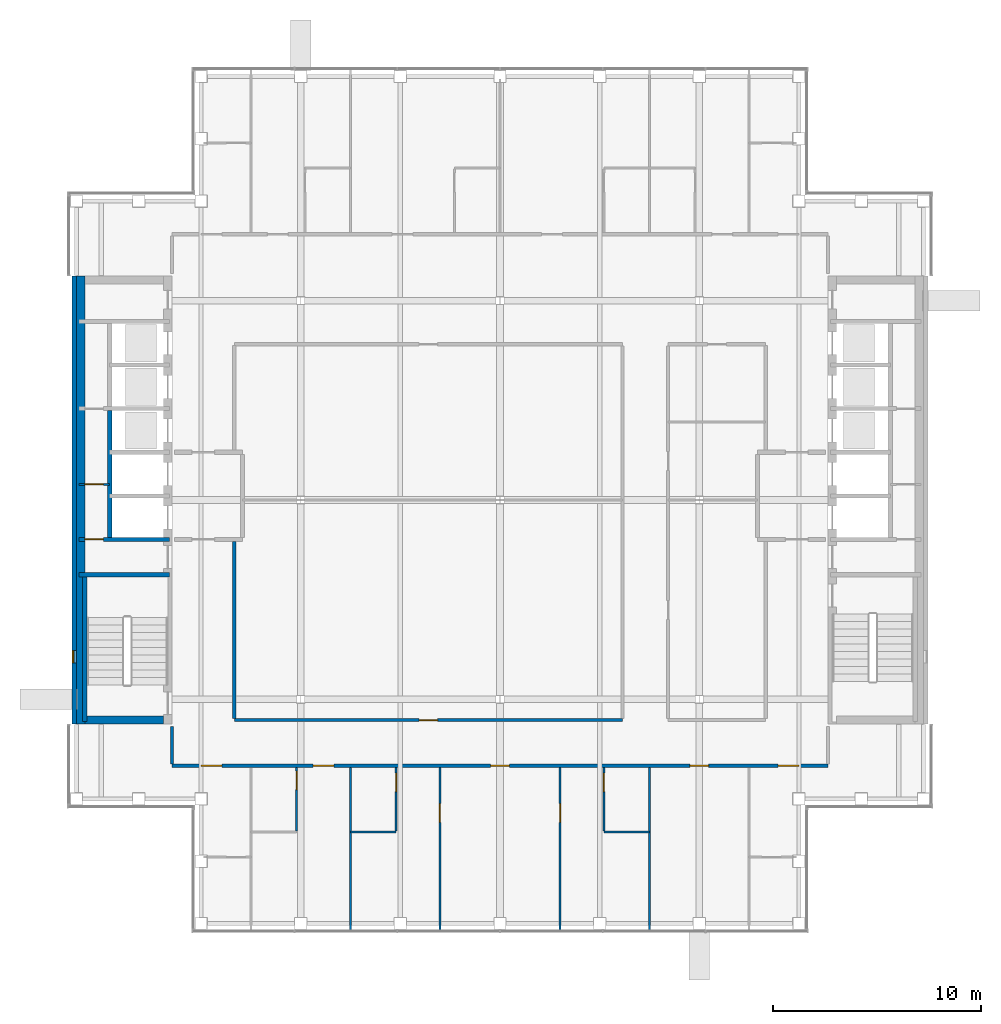
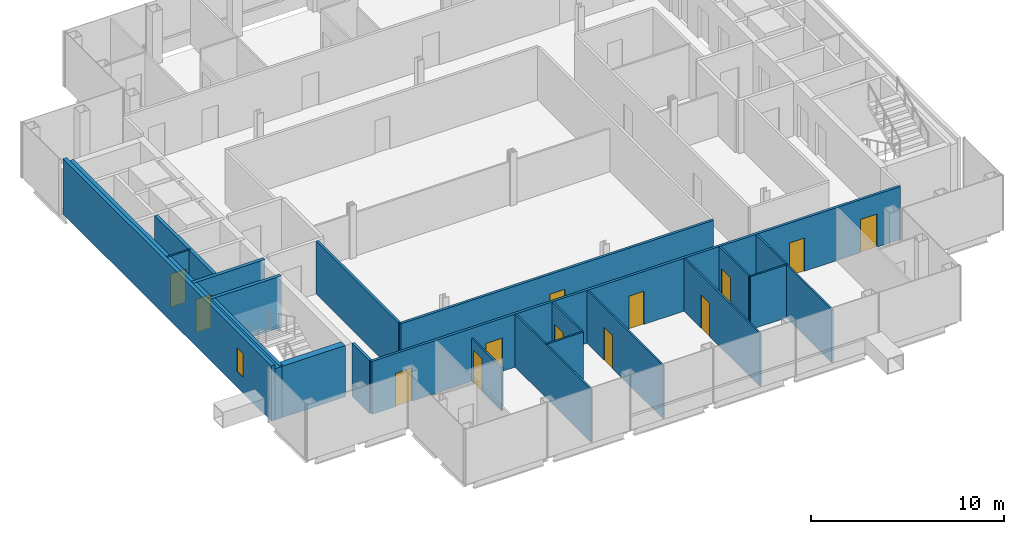
# One storey, part 10 of 15: 21 walls, 13 doors, 1 window, 14 openings.
"""IFC4 building model written with IfcOpenShell, lengths in metres."""

from ifc_helpers import new_model, si_unit, direction, frame, frame_2d, origin, place, context, subcontext, project, spatial, rectangle, extrude, material, layer, layer_set, type_object, element, fill, save


model = new_model("IFC4")

# Units and contexts
model_context = context("Model", 3, precision=1e-05, world=origin(), true_north=direction((0.0, 1.0)))
body_context = subcontext(model_context, "Body", "Model", "MODEL_VIEW")
ifc_project = project(units=[si_unit("LENGTHUNIT", "METRE"), si_unit("AREAUNIT", "SQUARE_METRE"), si_unit("VOLUMEUNIT", "CUBIC_METRE"), si_unit("PLANEANGLEUNIT", "RADIAN"), si_unit("MASSUNIT", "GRAM", prefix="KILO")], contexts=[model_context])

# Site, building, storey
site_placement = place(None, origin())
site = spatial("IfcSite", under=ifc_project, at=site_placement, CompositionType="ELEMENT")
building_placement = place(site_placement, origin())
building = spatial("IfcBuilding", under=site, at=building_placement, Name="Cobrizo Arcos Hotel Tower", CompositionType="ELEMENT")
storey_placement = place(building_placement, frame((0.0, 0.0, 258.5)))
storey = spatial("IfcBuildingStorey", under=building, at=storey_placement, Name="L68", CompositionType="ELEMENT", Elevation=258.5)

# Wall, openings, doors
ifc_material_1 = material(Name="Gypsum board partition")
ifc_layer_1 = layer(ifc_material_1, 0.14990234375)
ifc_layer_set_1 = layer_set([ifc_layer_1], Name="Corridor wall EI 60 150")
wall_type_1 = type_object("IfcWallType", Name="Corridor wall EI 60 150", PredefinedType="PARTITIONING", material=ifc_layer_set_1)
wall_1_placement = place(storey_placement, frame((-15.800048828125, -12.800048828125, 0.0), z_axis=(0.0, 0.0, 1.0), x_axis=(1.0, 0.0, 0.0)))
wall_1 = element("IfcWall", 1, at=wall_1_placement, inside=storey, type_object=wall_type_1, Name="Partition 006", PredefinedType="PARTITIONING", context=body_context, shape_type="SweptSolid", body=[
    extrude(rectangle(XDim=31.60009765625, YDim=0.14990234375, at=frame_2d((15.800048828125, 0.0))), origin(), (0.0, 0.0, 1.0), 3.35009765625),
])
opening_1_placement = place(wall_1_placement, frame((6.800048828125, 0.0, 0.0)))
opening_1 = element("IfcOpeningElement", 2, at=opening_1_placement, cuts=wall_1, Name="Opening GD-05", PredefinedType="OPENING", context=body_context, shape_type="SweptSolid", body=[
    extrude(rectangle(XDim=1.0, YDim=2.10009765625, at=frame_2d((0.5, 1.050048828125))), frame((0.0, 0.0869140625, 0.0), z_axis=(0.0, -1.0, 0.0), x_axis=(1.0, 0.0, 0.0)), (0.0, 0.0, 1.0), 0.173828125),
])
opening_2_placement = place(wall_1_placement, frame((15.35009765625, 0.0, 0.0)))
opening_2 = element("IfcOpeningElement", 3, at=opening_2_placement, cuts=wall_1, Name="Opening RD-09", PredefinedType="OPENING", context=body_context, shape_type="SweptSolid", body=[
    extrude(rectangle(XDim=0.89990234375, YDim=2.10009765625, at=frame_2d((0.449951171875, 1.050048828125))), frame((0.0, 0.0869140625, 0.0), z_axis=(0.0, -1.0, 0.0), x_axis=(1.0, 0.0, 0.0)), (0.0, 0.0, 1.0), 0.173828125),
])
opening_3_placement = place(wall_1_placement, frame((24.949951171875, 0.0, 0.0)))
opening_3 = element("IfcOpeningElement", 4, at=opening_3_placement, cuts=wall_1, Name="Opening RD-12", PredefinedType="OPENING", context=body_context, shape_type="SweptSolid", body=[
    extrude(rectangle(XDim=0.89990234375, YDim=2.10009765625, at=frame_2d((0.449951171875, 1.050048828125))), frame((0.0, 0.0869140625, 0.0), z_axis=(0.0, -1.0, 0.0), x_axis=(1.0, 0.0, 0.0)), (0.0, 0.0, 1.0), 0.173828125),
])
opening_4_placement = place(wall_1_placement, frame((1.39990234375, 0.0, 0.0)))
opening_4 = element("IfcOpeningElement", 5, at=opening_4_placement, cuts=wall_1, Name="Opening GD-06", PredefinedType="OPENING", context=body_context, shape_type="SweptSolid", body=[
    extrude(rectangle(XDim=1.0, YDim=2.10009765625, at=frame_2d((0.5, 1.050048828125))), frame((0.0, 0.0869140625, 0.0), z_axis=(0.0, -1.0, 0.0), x_axis=(1.0, 0.0, 0.0)), (0.0, 0.0, 1.0), 0.173828125),
])
opening_5_placement = place(wall_1_placement, frame((29.199951171875, 0.0, 0.0)))
opening_5 = element("IfcOpeningElement", 6, at=opening_5_placement, cuts=wall_1, Name="Opening GD-08", PredefinedType="OPENING", context=body_context, shape_type="SweptSolid", body=[
    extrude(rectangle(XDim=1.0, YDim=2.10009765625, at=frame_2d((0.5, 1.050048828125))), frame((0.0, 0.0869140625, 0.0), z_axis=(0.0, -1.0, 0.0), x_axis=(1.0, 0.0, 0.0)), (0.0, 0.0, 1.0), 0.173828125),
])
ifc_material_2 = material(Name="Timber door leaf", Category="wood")
door_type_1 = type_object("IfcDoorType", Name="Guest room door FD30S 1000x2100", OperationType="SINGLE_SWING_LEFT", PredefinedType="DOOR", material=ifc_material_2)
door_1_placement = place(opening_1_placement, origin())
door_1 = element("IfcDoor", 7, at=door_1_placement, inside=storey, type_object=door_type_1, Name="Door GD-05", OperationType="SINGLE_SWING_RIGHT", OverallHeight=2.10009765625, OverallWidth=1.0, PredefinedType="DOOR", context=body_context, shape_type="SweptSolid", body=[
    extrude(rectangle(XDim=1.0, YDim=2.10009765625, at=frame_2d((0.5, 1.050048828125))), frame((0.0, 0.02490234375, 0.0), z_axis=(0.0, -1.0, 0.0), x_axis=(1.0, 0.0, 0.0)), (0.0, 0.0, 1.0), 0.050048828125),
])
fill(opening_1, door_1)
door_2_placement = place(opening_4_placement, origin())
door_2 = element("IfcDoor", 8, at=door_2_placement, inside=storey, type_object=door_type_1, Name="Door GD-06", OperationType="SINGLE_SWING_RIGHT", OverallHeight=2.10009765625, OverallWidth=1.0, PredefinedType="DOOR", context=body_context, shape_type="SweptSolid", body=[
    extrude(rectangle(XDim=1.0, YDim=2.10009765625, at=frame_2d((0.5, 1.050048828125))), frame((0.0, 0.02490234375, 0.0), z_axis=(0.0, -1.0, 0.0), x_axis=(1.0, 0.0, 0.0)), (0.0, 0.0, 1.0), 0.050048828125),
])
fill(opening_4, door_2)
door_3_placement = place(opening_5_placement, origin())
door_3 = element("IfcDoor", 9, at=door_3_placement, inside=storey, type_object=door_type_1, Name="Door GD-08", OperationType="SINGLE_SWING_RIGHT", OverallHeight=2.10009765625, OverallWidth=1.0, PredefinedType="DOOR", context=body_context, shape_type="SweptSolid", body=[
    extrude(rectangle(XDim=1.0, YDim=2.10009765625, at=frame_2d((0.5, 1.050048828125))), frame((0.0, 0.02490234375, 0.0), z_axis=(0.0, -1.0, 0.0), x_axis=(1.0, 0.0, 0.0)), (0.0, 0.0, 1.0), 0.050048828125),
])
fill(opening_5, door_3)
door_type_2 = type_object("IfcDoorType", Name="Room door FD30 900x2100", OperationType="SINGLE_SWING_LEFT", PredefinedType="DOOR", material=ifc_material_2)
door_4_placement = place(opening_2_placement, origin())
door_4 = element("IfcDoor", 10, at=door_4_placement, inside=storey, type_object=door_type_2, Name="Door RD-09", OperationType="SINGLE_SWING_RIGHT", OverallHeight=2.10009765625, OverallWidth=0.89990234375, PredefinedType="DOOR", context=body_context, shape_type="SweptSolid", body=[
    extrude(rectangle(XDim=0.89990234375, YDim=2.10009765625, at=frame_2d((0.449951171875, 1.050048828125))), frame((0.0, 0.02490234375, 0.0), z_axis=(0.0, -1.0, 0.0), x_axis=(1.0, 0.0, 0.0)), (0.0, 0.0, 1.0), 0.050048828125),
])
fill(opening_2, door_4)
door_5_placement = place(opening_3_placement, origin())
door_5 = element("IfcDoor", 11, at=door_5_placement, inside=storey, type_object=door_type_2, Name="Door RD-12", OperationType="SINGLE_SWING_LEFT", OverallHeight=2.10009765625, OverallWidth=0.89990234375, PredefinedType="DOOR", context=body_context, shape_type="SweptSolid", body=[
    extrude(rectangle(XDim=0.89990234375, YDim=2.10009765625, at=frame_2d((0.449951171875, 1.050048828125))), frame((0.0, 0.02490234375, 0.0), z_axis=(0.0, -1.0, 0.0), x_axis=(1.0, 0.0, 0.0)), (0.0, 0.0, 1.0), 0.050048828125),
])
fill(opening_3, door_5)

# Wall, opening, door
wall_2_placement = place(storey_placement, frame((-12.800048828125, -10.60009765625, 0.0), z_axis=(0.0, 0.0, 1.0), x_axis=(1.0, 0.0, 0.0)))
wall_2 = element("IfcWall", 12, at=wall_2_placement, inside=storey, type_object=wall_type_1, Name="Partition 007", PredefinedType="PARTITIONING", context=body_context, shape_type="SweptSolid", body=[
    extrude(rectangle(XDim=18.699951171875, YDim=0.14990234375, at=frame_2d((9.35009765625, 0.0))), origin(), (0.0, 0.0, 1.0), 3.35009765625),
])
opening_6_placement = place(wall_2_placement, frame((8.89990234375, 0.0, 0.0)))
opening_6 = element("IfcOpeningElement", 13, at=opening_6_placement, cuts=wall_2, Name="Opening RD-15", PredefinedType="OPENING", context=body_context, shape_type="SweptSolid", body=[
    extrude(rectangle(XDim=0.89990234375, YDim=2.10009765625, at=frame_2d((0.449951171875, 1.050048828125))), frame((0.0, 0.0869140625, 0.0), z_axis=(0.0, -1.0, 0.0), x_axis=(1.0, 0.0, 0.0)), (0.0, 0.0, 1.0), 0.173828125),
])
door_6_placement = place(opening_6_placement, origin())
door_6 = element("IfcDoor", 14, at=door_6_placement, inside=storey, type_object=door_type_2, Name="Door RD-15", OperationType="SINGLE_SWING_RIGHT", OverallHeight=2.10009765625, OverallWidth=0.89990234375, PredefinedType="DOOR", context=body_context, shape_type="SweptSolid", body=[
    extrude(rectangle(XDim=0.89990234375, YDim=2.10009765625, at=frame_2d((0.449951171875, 1.050048828125))), frame((0.0, 0.02490234375, 0.0), z_axis=(0.0, -1.0, 0.0), x_axis=(1.0, 0.0, 0.0)), (0.0, 0.0, 1.0), 0.050048828125),
])
fill(opening_6, door_6)

# Walls
wall_3_placement = place(storey_placement, frame((-15.800048828125, -12.72509765625, 0.0), z_axis=(0.0, 0.0, 1.0), x_axis=(0.0, 1.0, 0.0)))
element("IfcWall", 15, at=wall_3_placement, inside=storey, type_object=wall_type_1, Name="Partition 049", PredefinedType="PARTITIONING", context=body_context, shape_type="SweptSolid", body=[
    extrude(rectangle(XDim=1.80517578125, YDim=0.14990234375, at=frame_2d((0.902587890625, 0.0))), origin(), (0.0, 0.0, 1.0), 3.35009765625),
])
wall_4_placement = place(storey_placement, frame((-12.800048828125, -10.52490234375, 0.0), z_axis=(0.0, 0.0, 1.0), x_axis=(0.0, 1.0, 0.0)))
element("IfcWall", 16, at=wall_4_placement, inside=storey, type_object=wall_type_1, Name="Partition 051", PredefinedType="PARTITIONING", context=body_context, shape_type="SweptSolid", body=[
    extrude(rectangle(XDim=8.52490234375, YDim=0.14990234375, at=frame_2d((4.262451171875, 0.0))), origin(), (0.0, 0.0, 1.0), 3.35009765625),
])

# Wall, opening, window
ifc_material_3 = material(Name="Aluminium composite panel pale metal", Category="aluminium")
ifc_layer_2 = layer(ifc_material_3, 0.22509765625)
ifc_layer_set_2 = layer_set([ifc_layer_2], Name="EW-1 insulated panel wall 225")
wall_type_2 = type_object("IfcWallType", Name="EW-1 insulated panel wall 225", PredefinedType="SOLIDWALL", material=ifc_layer_set_2)
wall_5_placement = place(storey_placement, frame((-20.512451171875, 10.800048828125, 0.0), z_axis=(0.0, 0.0, 1.0), x_axis=(0.0, -1.0, 0.0)))
wall_5 = element("IfcWall", 17, at=wall_5_placement, inside=storey, type_object=wall_type_2, Name="Core face wall L68 W", PredefinedType="SOLIDWALL", context=body_context, shape_type="SweptSolid", body=[
    extrude(rectangle(XDim=21.60009765625, YDim=0.22509765625, at=frame_2d((10.800048828125, 0.0))), origin(), (0.0, 0.0, 1.0), 3.5),
])
opening_7_placement = place(wall_5_placement, frame((18.050048828125, 0.0, 1.0)))
opening_7 = element("IfcOpeningElement", 18, at=opening_7_placement, cuts=wall_5, Name="Opening W-156", PredefinedType="OPENING", context=body_context, shape_type="SweptSolid", body=[
    extrude(rectangle(XDim=0.60009765625, YDim=1.5, at=frame_2d((0.300048828125, 0.75))), frame((0.0, 0.12451171875, 0.0), z_axis=(0.0, -1.0, 0.0), x_axis=(1.0, 0.0, 0.0)), (0.0, 0.0, 1.0), 0.2490234375),
])
ifc_material_4 = material(Name="Aluminium 6063-T6 and clear laminated glass", Category="aluminium")
window_type = type_object("IfcWindowType", Name="W-C1 core stair slot window 600x1500", PartitioningType="SINGLE_PANEL", PredefinedType="WINDOW", material=ifc_material_4)
window_placement = place(opening_7_placement, origin())
window = element("IfcWindow", 19, at=window_placement, inside=storey, type_object=window_type, Name="Core face wall L68 W window W-156", OverallHeight=1.5, OverallWidth=0.60009765625, PartitioningType="SINGLE_PANEL", PredefinedType="WINDOW", context=body_context, shape_type="SweptSolid", body=[
    extrude(rectangle(XDim=0.60009765625, YDim=1.5, at=frame_2d((0.300048828125, 0.75))), frame((0.0, -0.0224609375, 0.0), z_axis=(0.0, -1.0, 0.0), x_axis=(1.0, 0.0, 0.0)), (0.0, 0.0, 1.0), 0.06005859375),
])
fill(opening_7, window)

# Walls
ifc_layer_3 = layer(ifc_material_1, 0.10009765625)
ifc_layer_set_3 = layer_set([ifc_layer_3], Name="Partition EI 30 100")
wall_type_3 = type_object("IfcWallType", Name="Partition EI 30 100", PredefinedType="PARTITIONING", material=ifc_layer_set_3)
for number, where, z_axis, x_axis, name in (
    (20, (-7.199951171875, -16.0, 0.0), (0.0, 0.0, 1.0), (1.0, 0.0, 0.0), "Partition 004"),
    (21, (5.0, -16.0, 0.0), (0.0, 0.0, 1.0), (1.0, 0.0, 0.0), "Partition 005"),
):
    element("IfcWall", number, at=place(storey_placement, frame(where, z_axis=z_axis, x_axis=x_axis)), inside=storey, type_object=wall_type_3, Name=name, PredefinedType="PARTITIONING", context=body_context, shape_type="SweptSolid", body=[
        extrude(rectangle(XDim=2.199951171875, YDim=0.10009765625, at=frame_2d((1.10009765625, 0.0))), origin(), (0.0, 0.0, 1.0), 3.35009765625),
    ])

# Wall, opening, door
wall_6_placement = place(storey_placement, frame((-20.280029296875, 0.75, 0.0), z_axis=(0.0, 0.0, 1.0), x_axis=(1.0, 0.0, 0.0)))
wall_6 = element("IfcWall", 22, at=wall_6_placement, inside=storey, type_object=wall_type_3, Name="Partition 025", PredefinedType="PARTITIONING", context=body_context, shape_type="SweptSolid", body=[
    extrude(rectangle(XDim=1.47998046875, YDim=0.10009765625, at=frame_2d((0.739990234375, 0.0))), origin(), (0.0, 0.0, 1.0), 3.25),
])
opening_8_placement = place(wall_6_placement, frame((0.280029296875, 0.0, 0.0)))
opening_8 = element("IfcOpeningElement", 23, at=opening_8_placement, cuts=wall_6, Name="Opening RD-03", PredefinedType="OPENING", context=body_context, shape_type="SweptSolid", body=[
    extrude(rectangle(XDim=0.89990234375, YDim=2.10009765625, at=frame_2d((0.449951171875, 1.050048828125))), frame((0.0, 0.06201171875, 0.0), z_axis=(0.0, -1.0, 0.0), x_axis=(1.0, 0.0, 0.0)), (0.0, 0.0, 1.0), 0.1240234375),
])
door_7_placement = place(opening_8_placement, origin())
door_7 = element("IfcDoor", 24, at=door_7_placement, inside=storey, type_object=door_type_2, Name="Door RD-03", OperationType="SINGLE_SWING_LEFT", OverallHeight=2.10009765625, OverallWidth=0.89990234375, PredefinedType="DOOR", context=body_context, shape_type="SweptSolid", body=[
    extrude(rectangle(XDim=0.89990234375, YDim=2.10009765625, at=frame_2d((0.449951171875, 1.050048828125))), frame((0.0, 0.02490234375, 0.0), z_axis=(0.0, -1.0, 0.0), x_axis=(1.0, 0.0, 0.0)), (0.0, 0.0, 1.0), 0.050048828125),
])
fill(opening_8, door_7)

wall_7_placement = place(storey_placement, frame((-9.800048828125, -15.949951171875, 0.0), z_axis=(0.0, 0.0, 1.0), x_axis=(0.0, 1.0, 0.0)))
wall_7 = element("IfcWall", 25, at=wall_7_placement, inside=storey, type_object=wall_type_3, Name="Partition 056", PredefinedType="PARTITIONING", context=body_context, shape_type="SweptSolid", body=[
    extrude(rectangle(XDim=3.074951171875, YDim=0.10009765625, at=frame_2d((1.53759765625, 0.0))), origin(), (0.0, 0.0, 1.0), 2.72802734375),
])
opening_9_placement = place(wall_7_placement, frame((1.99609375, 0.0, 0.0)))
opening_9 = element("IfcOpeningElement", 26, at=opening_9_placement, cuts=wall_7, Name="Opening ED-05", PredefinedType="OPENING", context=body_context, shape_type="SweptSolid", body=[
    extrude(rectangle(XDim=0.89990234375, YDim=2.10009765625, at=frame_2d((0.449951171875, 1.050048828125))), frame((0.0, 0.06201171875, 0.0), z_axis=(0.0, -1.0, 0.0), x_axis=(1.0, 0.0, 0.0)), (0.0, 0.0, 1.0), 0.1240234375),
])
door_type_3 = type_object("IfcDoorType", Name="En-suite door 900x2100", OperationType="SINGLE_SWING_LEFT", PredefinedType="DOOR", material=ifc_material_2)
door_8_placement = place(opening_9_placement, origin())
door_8 = element("IfcDoor", 27, at=door_8_placement, inside=storey, type_object=door_type_3, Name="Door ED-05", OperationType="SINGLE_SWING_LEFT", OverallHeight=2.10009765625, OverallWidth=0.89990234375, PredefinedType="DOOR", context=body_context, shape_type="SweptSolid", body=[
    extrude(rectangle(XDim=0.89990234375, YDim=2.10009765625, at=frame_2d((0.449951171875, 1.050048828125))), frame((0.0, 0.02490234375, 0.0), z_axis=(0.0, -1.0, 0.0), x_axis=(1.0, 0.0, 0.0)), (0.0, 0.0, 1.0), 0.050048828125),
])
fill(opening_9, door_8)

# Wall
wall_8_placement = place(storey_placement, frame((-7.199951171875, -20.72998046875, 0.0), z_axis=(0.0, 0.0, 1.0), x_axis=(0.0, 1.0, 0.0)))
element("IfcWall", 28, at=wall_8_placement, inside=storey, type_object=wall_type_3, Name="Partition 058", PredefinedType="PARTITIONING", context=body_context, shape_type="SweptSolid", body=[
    extrude(rectangle(XDim=7.85498046875, YDim=0.10009765625, at=frame_2d((3.927490234375, 0.0))), origin(), (0.0, 0.0, 1.0), 3.35009765625),
])

# Wall, opening, door
wall_9_placement = place(storey_placement, frame((-5.0, -15.949951171875, 0.0), z_axis=(0.0, 0.0, 1.0), x_axis=(0.0, 1.0, 0.0)))
wall_9 = element("IfcWall", 29, at=wall_9_placement, inside=storey, type_object=wall_type_3, Name="Partition 060", PredefinedType="PARTITIONING", context=body_context, shape_type="SweptSolid", body=[
    extrude(rectangle(XDim=3.074951171875, YDim=0.10009765625, at=frame_2d((1.53759765625, 0.0))), origin(), (0.0, 0.0, 1.0), 3.35009765625),
])
opening_10_placement = place(wall_9_placement, frame((1.89990234375, 0.0, 0.0)))
opening_10 = element("IfcOpeningElement", 30, at=opening_10_placement, cuts=wall_9, Name="Opening ED-06", PredefinedType="OPENING", context=body_context, shape_type="SweptSolid", body=[
    extrude(rectangle(XDim=0.89990234375, YDim=2.10009765625, at=frame_2d((0.449951171875, 1.050048828125))), frame((0.0, 0.06201171875, 0.0), z_axis=(0.0, -1.0, 0.0), x_axis=(1.0, 0.0, 0.0)), (0.0, 0.0, 1.0), 0.1240234375),
])
door_9_placement = place(opening_10_placement, origin())
door_9 = element("IfcDoor", 31, at=door_9_placement, inside=storey, type_object=door_type_3, Name="Door ED-06", OperationType="SINGLE_SWING_RIGHT", OverallHeight=2.10009765625, OverallWidth=0.89990234375, PredefinedType="DOOR", context=body_context, shape_type="SweptSolid", body=[
    extrude(rectangle(XDim=0.89990234375, YDim=2.10009765625, at=frame_2d((0.449951171875, 1.050048828125))), frame((0.0, 0.02490234375, 0.0), z_axis=(0.0, -1.0, 0.0), x_axis=(1.0, 0.0, 0.0)), (0.0, 0.0, 1.0), 0.050048828125),
])
fill(opening_10, door_9)

wall_10_placement = place(storey_placement, frame((-2.89990234375, -20.72998046875, 0.0), z_axis=(0.0, 0.0, 1.0), x_axis=(0.0, 1.0, 0.0)))
wall_10 = element("IfcWall", 32, at=wall_10_placement, inside=storey, type_object=wall_type_3, Name="Partition 061", PredefinedType="PARTITIONING", context=body_context, shape_type="SweptSolid", body=[
    extrude(rectangle(XDim=7.85498046875, YDim=0.10009765625, at=frame_2d((3.927490234375, 0.0))), origin(), (0.0, 0.0, 1.0), 3.35009765625),
])
opening_11_placement = place(wall_10_placement, frame((5.199951171875, 0.0, 0.0)))
opening_11 = element("IfcOpeningElement", 33, at=opening_11_placement, cuts=wall_10, Name="Opening RD-10", PredefinedType="OPENING", context=body_context, shape_type="SweptSolid", body=[
    extrude(rectangle(XDim=0.89990234375, YDim=2.10009765625, at=frame_2d((0.449951171875, 1.050048828125))), frame((0.0, 0.06201171875, 0.0), z_axis=(0.0, -1.0, 0.0), x_axis=(1.0, 0.0, 0.0)), (0.0, 0.0, 1.0), 0.1240234375),
])
door_10_placement = place(opening_11_placement, origin())
door_10 = element("IfcDoor", 34, at=door_10_placement, inside=storey, type_object=door_type_2, Name="Door RD-10", OperationType="SINGLE_SWING_RIGHT", OverallHeight=2.10009765625, OverallWidth=0.89990234375, PredefinedType="DOOR", context=body_context, shape_type="SweptSolid", body=[
    extrude(rectangle(XDim=0.89990234375, YDim=2.10009765625, at=frame_2d((0.449951171875, 1.050048828125))), frame((0.0, 0.02490234375, 0.0), z_axis=(0.0, -1.0, 0.0), x_axis=(1.0, 0.0, 0.0)), (0.0, 0.0, 1.0), 0.050048828125),
])
fill(opening_11, door_10)

wall_11_placement = place(storey_placement, frame((2.89990234375, -20.72998046875, 0.0), z_axis=(0.0, 0.0, 1.0), x_axis=(0.0, 1.0, 0.0)))
wall_11 = element("IfcWall", 35, at=wall_11_placement, inside=storey, type_object=wall_type_3, Name="Partition 064", PredefinedType="PARTITIONING", context=body_context, shape_type="SweptSolid", body=[
    extrude(rectangle(XDim=7.85498046875, YDim=0.10009765625, at=frame_2d((3.927490234375, 0.0))), origin(), (0.0, 0.0, 1.0), 3.35009765625),
])
opening_12_placement = place(wall_11_placement, frame((5.199951171875, 0.0, 0.0)))
opening_12 = element("IfcOpeningElement", 36, at=opening_12_placement, cuts=wall_11, Name="Opening RD-11", PredefinedType="OPENING", context=body_context, shape_type="SweptSolid", body=[
    extrude(rectangle(XDim=0.89990234375, YDim=2.10009765625, at=frame_2d((0.449951171875, 1.050048828125))), frame((0.0, 0.06201171875, 0.0), z_axis=(0.0, -1.0, 0.0), x_axis=(1.0, 0.0, 0.0)), (0.0, 0.0, 1.0), 0.1240234375),
])
door_11_placement = place(opening_12_placement, origin())
door_11 = element("IfcDoor", 37, at=door_11_placement, inside=storey, type_object=door_type_2, Name="Door RD-11", OperationType="SINGLE_SWING_RIGHT", OverallHeight=2.10009765625, OverallWidth=0.89990234375, PredefinedType="DOOR", context=body_context, shape_type="SweptSolid", body=[
    extrude(rectangle(XDim=0.89990234375, YDim=2.10009765625, at=frame_2d((0.449951171875, 1.050048828125))), frame((0.0, 0.02490234375, 0.0), z_axis=(0.0, -1.0, 0.0), x_axis=(1.0, 0.0, 0.0)), (0.0, 0.0, 1.0), 0.050048828125),
])
fill(opening_12, door_11)

wall_12_placement = place(storey_placement, frame((5.0, -15.949951171875, 0.0), z_axis=(0.0, 0.0, 1.0), x_axis=(0.0, 1.0, 0.0)))
wall_12 = element("IfcWall", 38, at=wall_12_placement, inside=storey, type_object=wall_type_3, Name="Partition 065", PredefinedType="PARTITIONING", context=body_context, shape_type="SweptSolid", body=[
    extrude(rectangle(XDim=3.074951171875, YDim=0.10009765625, at=frame_2d((1.53759765625, 0.0))), origin(), (0.0, 0.0, 1.0), 3.35009765625),
])
opening_13_placement = place(wall_12_placement, frame((1.89990234375, 0.0, 0.0)))
opening_13 = element("IfcOpeningElement", 39, at=opening_13_placement, cuts=wall_12, Name="Opening ED-07", PredefinedType="OPENING", context=body_context, shape_type="SweptSolid", body=[
    extrude(rectangle(XDim=0.89990234375, YDim=2.10009765625, at=frame_2d((0.449951171875, 1.050048828125))), frame((0.0, 0.06201171875, 0.0), z_axis=(0.0, -1.0, 0.0), x_axis=(1.0, 0.0, 0.0)), (0.0, 0.0, 1.0), 0.1240234375),
])
door_12_placement = place(opening_13_placement, origin())
door_12 = element("IfcDoor", 40, at=door_12_placement, inside=storey, type_object=door_type_3, Name="Door ED-07", OperationType="SINGLE_SWING_RIGHT", OverallHeight=2.10009765625, OverallWidth=0.89990234375, PredefinedType="DOOR", context=body_context, shape_type="SweptSolid", body=[
    extrude(rectangle(XDim=0.89990234375, YDim=2.10009765625, at=frame_2d((0.449951171875, 1.050048828125))), frame((0.0, 0.02490234375, 0.0), z_axis=(0.0, -1.0, 0.0), x_axis=(1.0, 0.0, 0.0)), (0.0, 0.0, 1.0), 0.050048828125),
])
fill(opening_13, door_12)

# Walls
wall_13_placement = place(storey_placement, frame((7.199951171875, -20.72998046875, 0.0), z_axis=(0.0, 0.0, 1.0), x_axis=(0.0, 1.0, 0.0)))
element("IfcWall", 41, at=wall_13_placement, inside=storey, type_object=wall_type_3, Name="Partition 068", PredefinedType="PARTITIONING", context=body_context, shape_type="SweptSolid", body=[
    extrude(rectangle(XDim=7.85498046875, YDim=0.10009765625, at=frame_2d((3.927490234375, 0.0))), origin(), (0.0, 0.0, 1.0), 3.35009765625),
])
ifc_material_5 = material(Name="Concrete f'c 40 MPa", Category="concrete")
ifc_layer_4 = layer(ifc_material_5, 0.39990234375)
ifc_layer_set_4 = layer_set([ifc_layer_4], Name="RC core wall 400 f'c 40")
wall_type_4 = type_object("IfcWallType", Name="RC core wall 400 f'c 40", PredefinedType="SHEAR", material=ifc_layer_set_4)
wall_14_placement = place(storey_placement, frame((-20.199951171875, -10.800048828125, 0.0), z_axis=(0.0, 0.0, 1.0), x_axis=(0.0, 1.0, 0.0)))
element("IfcWall", 42, at=wall_14_placement, inside=storey, type_object=wall_type_4, Name="Core wall CW4, west core, outer face, L68", PredefinedType="SHEAR", context=body_context, shape_type="SweptSolid", body=[
    extrude(rectangle(XDim=21.60009765625, YDim=0.39990234375, at=frame_2d((10.800048828125, 0.0))), origin(), (0.0, 0.0, 1.0), 3.25),
])
wall_15_placement = place(storey_placement, frame((-20.0, -10.60009765625, 0.0), z_axis=(0.0, 0.0, 1.0), x_axis=(1.0, 0.0, 0.0)))
element("IfcWall", 43, at=wall_15_placement, inside=storey, type_object=wall_type_4, Name="Core wall CW4, west core, south end, L68", PredefinedType="SHEAR", context=body_context, shape_type="SweptSolid", body=[
    extrude(rectangle(XDim=3.800048828125, YDim=0.39990234375, at=frame_2d((1.89990234375, 0.0))), origin(), (0.0, 0.0, 1.0), 3.25),
])

# Wall, opening, door
ifc_layer_5 = layer(ifc_material_1, 0.199951171875)
ifc_layer_set_5 = layer_set([ifc_layer_5], Name="Shaft wall EI 120 200")
wall_type_5 = type_object("IfcWallType", Name="Shaft wall EI 120 200", PredefinedType="PARTITIONING", material=ifc_layer_set_5)
wall_16_placement = place(storey_placement, frame((-20.280029296875, -1.89990234375, 0.0), z_axis=(0.0, 0.0, 1.0), x_axis=(1.0, 0.0, 0.0)))
wall_16 = element("IfcWall", 44, at=wall_16_placement, inside=storey, type_object=wall_type_5, Name="Partition 011", PredefinedType="PARTITIONING", context=body_context, shape_type="SweptSolid", body=[
    extrude(rectangle(XDim=4.360107421875, YDim=0.199951171875, at=frame_2d((2.18017578125, 0.0))), origin(), (0.0, 0.0, 1.0), 3.25),
])
opening_14_placement = place(wall_16_placement, frame((0.280029296875, 0.0, 0.0)))
opening_14 = element("IfcOpeningElement", 45, at=opening_14_placement, cuts=wall_16, Name="Opening RD-02", PredefinedType="OPENING", context=body_context, shape_type="SweptSolid", body=[
    extrude(rectangle(XDim=0.89990234375, YDim=2.10009765625, at=frame_2d((0.449951171875, 1.050048828125))), frame((0.0, 0.112060546875, 0.0), z_axis=(0.0, -1.0, 0.0), x_axis=(1.0, 0.0, 0.0)), (0.0, 0.0, 1.0), 0.223876953125),
])
door_13_placement = place(opening_14_placement, origin())
door_13 = element("IfcDoor", 46, at=door_13_placement, inside=storey, type_object=door_type_2, Name="Door RD-02", OperationType="SINGLE_SWING_LEFT", OverallHeight=2.10009765625, OverallWidth=0.89990234375, PredefinedType="DOOR", context=body_context, shape_type="SweptSolid", body=[
    extrude(rectangle(XDim=0.89990234375, YDim=2.10009765625, at=frame_2d((0.449951171875, 1.050048828125))), frame((0.0, 0.02490234375, 0.0), z_axis=(0.0, -1.0, 0.0), x_axis=(1.0, 0.0, 0.0)), (0.0, 0.0, 1.0), 0.050048828125),
])
fill(opening_14, door_13)

# Walls
wall_17_placement = place(storey_placement, frame((-18.800048828125, -1.800048828125, 0.0), z_axis=(0.0, 0.0, 1.0), x_axis=(0.0, 1.0, 0.0)))
element("IfcWall", 47, at=wall_17_placement, inside=storey, type_object=wall_type_5, Name="Partition 047", PredefinedType="PARTITIONING", context=body_context, shape_type="SweptSolid", body=[
    extrude(rectangle(XDim=6.10009765625, YDim=0.199951171875, at=frame_2d((3.050048828125, 0.0))), origin(), (0.0, 0.0, 1.0), 3.25),
])
ifc_layer_6 = layer(ifc_material_5, 0.199951171875)
ifc_layer_set_6 = layer_set([ifc_layer_6], Name="Stair shaft wall 200")
wall_type_6 = type_object("IfcWallType", Name="Stair shaft wall 200", PredefinedType="SHEAR", material=ifc_layer_set_6)
wall_18_placement = place(storey_placement, frame((-20.280029296875, -3.60009765625, 0.0), z_axis=(0.0, 0.0, 1.0), x_axis=(1.0, 0.0, 0.0)))
element("IfcWall", 48, at=wall_18_placement, inside=storey, type_object=wall_type_6, Name="Stair shaft wall W", PredefinedType="SHEAR", context=body_context, shape_type="SweptSolid", body=[
    extrude(rectangle(XDim=4.360107421875, YDim=0.199951171875, at=frame_2d((2.18017578125, 0.0))), origin(), (0.0, 0.0, 1.0), 3.25),
])
wall_19_placement = place(storey_placement, frame((-20.0, -10.679931640625, 0.0), z_axis=(0.0, 0.0, 1.0), x_axis=(0.0, 1.0, 0.0)))
element("IfcWall", 49, at=wall_19_placement, inside=storey, type_object=wall_type_6, Name="Stair shaft wall W", PredefinedType="SHEAR", context=body_context, shape_type="SweptSolid", body=[
    extrude(rectangle(XDim=6.97998046875, YDim=0.199951171875, at=frame_2d((3.489990234375, 0.0))), origin(), (0.0, 0.0, 1.0), 3.25),
])

save(model, "model.ifc")
